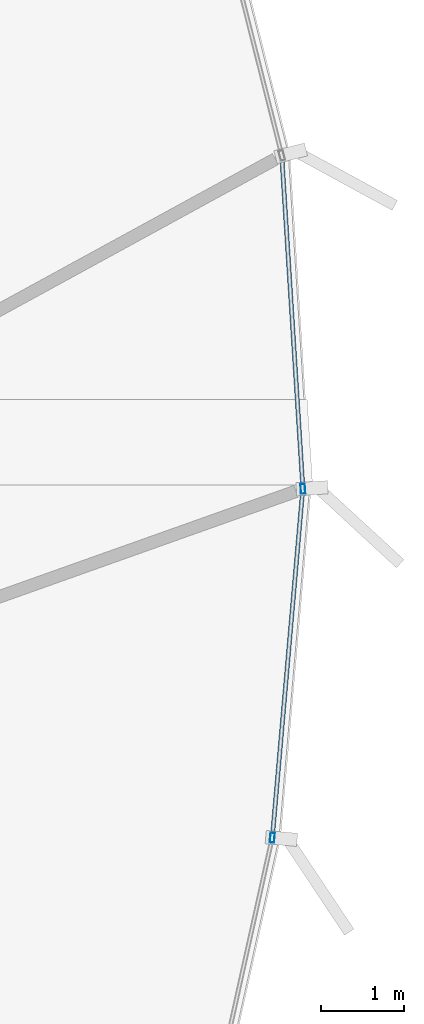
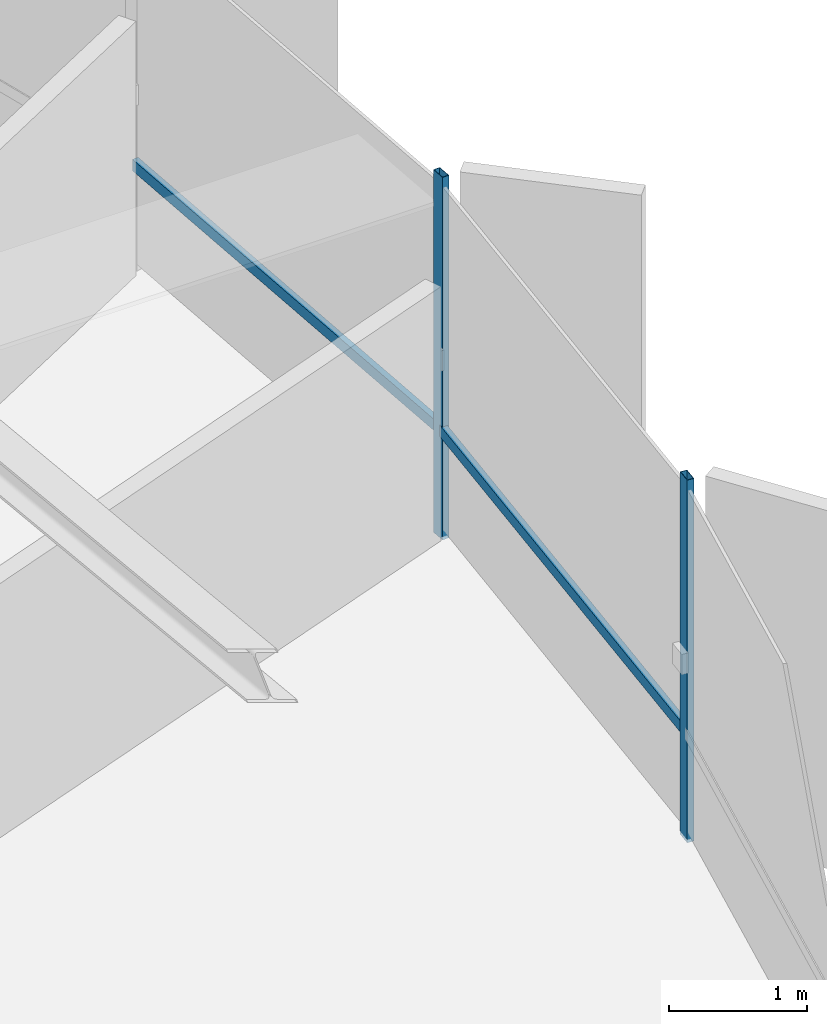
# One storey, part 18 of 36: 4 members, 1 element without a shape of its own.
"""IFC4 building model written with IfcOpenShell, lengths in metres."""

import ifcopenshell
import ifcopenshell.guid

model = None  # the IFC model being written
_history = None  # IfcOwnerHistory: only IFC2X3 demands one
_inside = {}  # id of a spatial element -> (the spatial element, [elements in it])
_under = {}  # id of a project, library or spatial element -> (it, [spatial elements below it])
_declared = {}  # id of a project -> (the project, [libraries it declares])
_typed = {}  # id of a type object -> (the type object, [elements of that type])
_made_of = {}  # id of a material, layer set ... -> (it, [elements and type objects made of it])


def new_model(schema):
    """Start an empty IFC model of exactly this schema.

    Asked for "IFC4X3", IfcOpenShell would pick the latest addendum, in which some entities
    have other attributes; the version numbers below select the first issue.
    IFC2X3 requires an IfcOwnerHistory on every rooted entity: one is made here for all.
    """
    global model, _history
    if schema == "IFC4X3":
        model = ifcopenshell.file(schema_version=(4, 3, 0, 0))
    else:
        model = ifcopenshell.file(schema=schema)
    _inside.clear()
    _under.clear()
    _declared.clear()
    _typed.clear()
    _made_of.clear()
    _history = None
    if model.schema == "IFC2X3":
        org = make("IfcOrganization", Name="unknown")
        user = make(
            "IfcPersonAndOrganization",
            ThePerson=make("IfcPerson", FamilyName="unknown"),
            TheOrganization=org,
        )
        app = make(
            "IfcApplication",
            ApplicationDeveloper=org,
            Version="unknown",
            ApplicationFullName="unknown",
            ApplicationIdentifier="unknown",
        )
        _history = make(
            "IfcOwnerHistory",
            OwningUser=user,
            OwningApplication=app,
            ChangeAction="ADDED",
            CreationDate=0,
        )
    return model


def make(cls, **values):
    """One entity of the class cls with the attributes given. An attribute that is None is left unset."""
    return model.create_entity(
        cls, **{name: value for name, value in values.items() if value is not None}
    )


def rooted(cls, **values):
    """An entity with a GlobalId (a new one), such as an element, a storey or a relation."""
    return make(cls, GlobalId=ifcopenshell.guid.new(), OwnerHistory=_history, **values)


def si_unit(unit_type, name, prefix=None):
    """IfcSIUnit, for example si_unit("LENGTHUNIT", "METRE", prefix="MILLI")."""
    return make("IfcSIUnit", UnitType=unit_type, Prefix=prefix, Name=name)


def assignment(units):
    """IfcUnitAssignment: the units of a project."""
    return None if units is None else make("IfcUnitAssignment", Units=units)


def point(xyz):
    """IfcCartesianPoint."""
    return None if xyz is None else make("IfcCartesianPoint", Coordinates=xyz)


def direction(xyz):
    """IfcDirection."""
    return None if xyz is None else make("IfcDirection", DirectionRatios=xyz)


def frame(location, z_axis=None, x_axis=None):
    """IfcAxis2Placement3D, a coordinate frame: its origin and axes. An axis left out is left unset."""
    return make(
        "IfcAxis2Placement3D",
        Location=point(location),
        Axis=direction(z_axis),
        RefDirection=direction(x_axis),
    )


def frame_2d(location, x_axis=None):
    """IfcAxis2Placement2D, a coordinate frame in the plane: its origin and x axis."""
    return make(
        "IfcAxis2Placement2D", Location=point(location), RefDirection=direction(x_axis)
    )


def origin():
    """The frame at (0, 0, 0) with its axes left unset."""
    return frame((0.0, 0.0, 0.0))


def origin_2d():
    """The frame at (0, 0) in the plane with its x axis left unset."""
    return frame_2d((0.0, 0.0))


def place(relative_to, where):
    """IfcLocalPlacement: puts the frame where relative to a parent placement (None: the world)."""
    return make(
        "IfcLocalPlacement", PlacementRelTo=relative_to, RelativePlacement=where
    )


def context(
    kind, dimensions, precision=None, world=None, true_north=None, identifier=None
):
    """IfcGeometricRepresentationContext, for example the 3D "Model" context."""
    return make(
        "IfcGeometricRepresentationContext",
        ContextIdentifier=identifier,
        ContextType=kind,
        CoordinateSpaceDimension=dimensions,
        Precision=precision,
        WorldCoordinateSystem=world,
        TrueNorth=true_north,
    )


def subcontext(parent, identifier, kind, view, scale=None):
    """IfcGeometricRepresentationSubContext, for example "Body" below "Model"."""
    return make(
        "IfcGeometricRepresentationSubContext",
        ContextIdentifier=identifier,
        ContextType=kind,
        ParentContext=parent,
        TargetScale=scale,
        TargetView=view,
    )


def project(units=None, contexts=None):
    """IfcProject with its units and contexts."""
    return rooted(
        "IfcProject",
        Name="project",
        RepresentationContexts=contexts,
        UnitsInContext=assignment(units),
    )


def spatial(cls, under=None, at=None, **own):
    """A site, building, storey or space (cls), placed at a placement, below another one or the project."""
    s = rooted(cls, ObjectPlacement=at, **own)
    if under is not None:
        _under.setdefault(under.id(), (under, []))[1].append(s)
    return s


def profile(cls, at=None, kind="AREA", **sizes):
    """A parametric profile (cls). Its sizes go by their IFC names, for example OverallWidth=200.0."""
    return make(cls, ProfileType=kind, Position=at, **sizes)


def hollow_rectangle(**sizes):
    """IfcRectangleHollowProfileDef."""
    return profile("IfcRectangleHollowProfileDef", **sizes)


def extrude(swept, where, along, depth):
    """IfcExtrudedAreaSolid: the profile swept, set in the frame where, extruded along a direction by depth."""
    return make(
        "IfcExtrudedAreaSolid",
        SweptArea=swept,
        Position=where,
        ExtrudedDirection=direction(along),
        Depth=depth,
    )


def shape(context_of_items, identifier, shape_type, items):
    """IfcShapeRepresentation: the items that make up one representation, for example the "Body"."""
    return make(
        "IfcShapeRepresentation",
        ContextOfItems=context_of_items,
        RepresentationIdentifier=identifier,
        RepresentationType=shape_type,
        Items=items,
    )


def source(mapping_origin, context_of_items, identifier, shape_type, items):
    """IfcRepresentationMap: a shape defined once, which mapped items show again and again."""
    return make(
        "IfcRepresentationMap",
        MappingOrigin=mapping_origin,
        MappedRepresentation=shape(context_of_items, identifier, shape_type, items),
    )


def transform(
    local_origin,
    x_axis=None,
    y_axis=None,
    z_axis=None,
    scale=None,
    scale2=None,
    scale3=None,
    uniform=True,
):
    """IfcCartesianTransformationOperator3D, or its non-uniform kind. x_axis, y_axis, z_axis: its Axis1, 2, 3."""
    if uniform:
        return make(
            "IfcCartesianTransformationOperator3D",
            Axis1=direction(x_axis),
            Axis2=direction(y_axis),
            LocalOrigin=point(local_origin),
            Scale=scale,
            Axis3=direction(z_axis),
        )
    return make(
        "IfcCartesianTransformationOperator3DnonUniform",
        Axis1=direction(x_axis),
        Axis2=direction(y_axis),
        LocalOrigin=point(local_origin),
        Scale=scale,
        Axis3=direction(z_axis),
        Scale2=scale2,
        Scale3=scale3,
    )


def mapped(mapping_source, mapping_target):
    """IfcMappedItem: shows the shape of a source again, moved by a transform."""
    return make(
        "IfcMappedItem", MappingSource=mapping_source, MappingTarget=mapping_target
    )


def material(Name=None, Category=None):
    """IfcMaterial."""
    return make("IfcMaterial", Name=Name, Category=Category)


def layer(
    of_material, thickness, ventilated=None, Name=None, Category=None, Priority=None
):
    """IfcMaterialLayer: one layer of a wall or slab, of a material (None: an air gap)."""
    return make(
        "IfcMaterialLayer",
        Material=of_material,
        LayerThickness=thickness,
        IsVentilated=ventilated,
        Name=Name,
        Category=Category,
        Priority=Priority,
    )


def layer_set(layers, Name=None):
    """IfcMaterialLayerSet."""
    return make("IfcMaterialLayerSet", MaterialLayers=layers, LayerSetName=Name)


def material_profile(
    of_material, cross_section, Name=None, Category=None, Priority=None
):
    """IfcMaterialProfile: a cross section and its material."""
    return make(
        "IfcMaterialProfile",
        Name=Name,
        Material=of_material,
        Profile=cross_section,
        Priority=Priority,
        Category=Category,
    )


def profile_set(profiles, Name=None, composite=None):
    """IfcMaterialProfileSet."""
    return make(
        "IfcMaterialProfileSet",
        Name=Name,
        MaterialProfiles=profiles,
        CompositeProfile=composite,
    )


def made_of(thing, what):
    """Note that an element or type object is made of a material, layer set ...; save() writes the relation."""
    if what is not None:
        _made_of.setdefault(what.id(), (what, []))[1].append(thing)
    return thing


def type_object(cls, material=None, **own):
    """A type object (cls), such as IfcWallType, which elements share."""
    return made_of(rooted(cls, **own), material)


def element(
    cls,
    number,
    at=None,
    inside=None,
    cuts=None,
    type_object=None,
    material=None,
    context=None,
    identifier="Body",
    shape_type=None,
    held_by="IfcProductDefinitionShape",
    body=None,
    shapes=None,
    **own,
):
    """One element of the class cls, such as IfcWall. Its Tag is "e" and its number.

    at: its placement. inside: the storey or other place that contains it. cuts: it is an
    opening in that element (IfcRelVoidsElement). A single representation is given by context,
    identifier, shape_type and body (its items); several are given by shapes. held_by: the class
    of the entity that holds the representations. save() writes the other relations.
    """
    e = rooted(cls, Tag="e%d" % number, ObjectPlacement=at, **own)
    if body is not None:
        shapes = [shape(context, identifier, shape_type, body)]
    if shapes is not None:
        e.Representation = make(held_by, Representations=shapes)
    if inside is not None:
        _inside.setdefault(inside.id(), (inside, []))[1].append(e)
    if cuts is not None:
        rooted(
            "IfcRelVoidsElement", RelatingBuildingElement=cuts, RelatedOpeningElement=e
        )
    if type_object is not None:
        _typed.setdefault(type_object.id(), (type_object, []))[1].append(e)
    return made_of(e, material)


def aggregate(whole, parts):
    """IfcRelAggregates: a whole, such as a stair, and the parts it consists of."""
    return rooted("IfcRelAggregates", RelatingObject=whole, RelatedObjects=parts)


def save(model, path):
    """Write the relations noted so far, then the file.

    IfcRelAggregates (storeys below a building ...), IfcRelContainedInSpatialStructure (elements
    in a storey), IfcRelDefinesByType, IfcRelAssociatesMaterial and IfcRelDeclares: one each for
    every whole, place, type object, material and project.
    """
    for whole, parts in _under.values():
        aggregate(whole, parts)
    for where, things in _inside.values():
        rooted(
            "IfcRelContainedInSpatialStructure",
            RelatedElements=things,
            RelatingStructure=where,
        )
    for kind, things in _typed.values():
        rooted("IfcRelDefinesByType", RelatedObjects=things, RelatingType=kind)
    for what, things in _made_of.values():
        rooted("IfcRelAssociatesMaterial", RelatedObjects=things, RelatingMaterial=what)
    for by, libraries in _declared.values():
        rooted("IfcRelDeclares", RelatingContext=by, RelatedDefinitions=libraries)
    model.write(path)


model = new_model("IFC4")

# Units and contexts
model_context = context("Model", 3, precision=1e-05, world=origin(), true_north=direction((0.0, 1.0)))
body_context = subcontext(model_context, "Body", "Model", "MODEL_VIEW")
ifc_project = project(units=[si_unit("LENGTHUNIT", "METRE"), si_unit("AREAUNIT", "SQUARE_METRE"), si_unit("VOLUMEUNIT", "CUBIC_METRE"), si_unit("PLANEANGLEUNIT", "RADIAN"), si_unit("MASSUNIT", "GRAM", prefix="KILO"), si_unit("THERMODYNAMICTEMPERATUREUNIT", "KELVIN")], contexts=[model_context])

# Site, building, storey
site_placement = place(None, origin())
site = spatial("IfcSite", under=ifc_project, at=site_placement, CompositionType="ELEMENT")
building_placement = place(site_placement, origin())
building = spatial("IfcBuilding", under=site, at=building_placement, Name="Kethvar Cultural Tower", CompositionType="ELEMENT")
storey_placement = place(building_placement, frame((0.0, 0.0, 242.199951171875)))
storey = spatial("IfcBuildingStorey", under=building, at=storey_placement, Name="L63", CompositionType="ELEMENT", Elevation=242.199951171875)

# Curtain wall, members
ifc_material = material(Name="Aluminium 6063-T6", Category="aluminium")
ifc_layer = layer(ifc_material, 0.179931640625, Name="Aluminium 6063-T6", Category="aluminium")
ifc_layer_set = layer_set([ifc_layer], Name="Aluminium 6063-T6 (180 mm)")
curtain_wall_type = type_object("IfcCurtainWallType", Name="CW-SYS-05-Z56", PredefinedType="NOTDEFINED", material=ifc_layer_set)
curtain_wall_placement = place(storey_placement, origin())
curtain_wall = element("IfcCurtainWall", 1, at=curtain_wall_placement, inside=storey, type_object=curtain_wall_type, Name="L63 Curtain Wall Run 06", PredefinedType="NOTDEFINED")
ifc_material_profile_1 = material_profile(ifc_material, hollow_rectangle(XDim=0.054931640625, YDim=0.1201171875, WallThickness=0.00390625, at=origin_2d()), Name="Aluminium 6063-T6 — RHS120x55x4")
ifc_profile_set_1 = profile_set([ifc_material_profile_1], Name="Aluminium 6063-T6 — RHS120x55x4")
member_type_1 = type_object("IfcMemberType", Name="CW-SYS-05-Z56-MUL", PredefinedType="MULLION", material=ifc_profile_set_1)
shared_shape_1 = source(origin(), body_context, "Body", "SweptSolid", [
    extrude(hollow_rectangle(XDim=0.054931640625, YDim=0.1201171875, WallThickness=0.00390625, at=origin_2d()), origin(), (0.0, 0.0, 1.0), 3.2099609375),
])
member_1_placement = place(storey_placement, frame((68.203857421875, 31.276123046875, 0.0), z_axis=(0.0, 0.0, 1.0), x_axis=(-0.99620533874, 0.087034033955, 0.0)))
member_1 = element("IfcMember", 2, at=member_1_placement, type_object=member_type_1, Name="CW-L63-R06 Mullion 2", PredefinedType="MULLION", context=body_context, shape_type="MappedRepresentation", body=[
    mapped(shared_shape_1, transform((0.0, 0.0, 0.0), scale=1.0)),
])
member_2_placement = place(storey_placement, frame((68.572509765625, 35.482177734375, 0.0), z_axis=(0.0, 0.0, 1.0), x_axis=(-0.99799260941, -0.063330494738, 0.0)))
member_2 = element("IfcMember", 3, at=member_2_placement, type_object=member_type_1, Name="CW-L63-R06 Mullion 3", PredefinedType="MULLION", context=body_context, shape_type="MappedRepresentation", body=[
    mapped(shared_shape_1, transform((0.0, 0.0, 0.0), scale=1.0)),
])
ifc_material_profile_2 = material_profile(ifc_material, hollow_rectangle(XDim=0.050048828125, YDim=0.10009765625, WallThickness=0.00390625, at=origin_2d()), Name="Aluminium 6063-T6 — RHS100x50x4")
ifc_profile_set_2 = profile_set([ifc_material_profile_2], Name="Aluminium 6063-T6 — RHS100x50x4")
member_type_2 = type_object("IfcMemberType", Name="CW-SYS-05-Z56-TRN", PredefinedType="USERDEFINED", material=ifc_profile_set_2)
shared_shape_2 = source(origin(), body_context, "Body", "SweptSolid", [
    extrude(hollow_rectangle(XDim=0.050048828125, YDim=0.10009765625, WallThickness=0.00390625, at=origin_2d()), origin(), (0.0, 0.0, 1.0), 3.9658203125),
])
member_3_placement = place(storey_placement, frame((68.56982421875, 35.521728515625, 0.949951171875), z_axis=(-0.063347927739, 0.997991502995, 0.0), x_axis=(-0.997991502995, -0.063347927739, 0.0)))
member_3 = element("IfcMember", 4, at=member_3_placement, type_object=member_type_2, Name="CW-L63-R06 Transom 3", ObjectType="TRANSOM", PredefinedType="USERDEFINED", context=body_context, shape_type="MappedRepresentation", body=[
    mapped(shared_shape_2, transform((0.0, 0.0, 0.0), scale=1.0)),
])
shared_shape_3 = source(origin(), body_context, "Body", "SweptSolid", [
    extrude(hollow_rectangle(XDim=0.050048828125, YDim=0.10009765625, WallThickness=0.00390625, at=origin_2d()), origin(), (0.0, 0.0, 1.0), 4.157958984375),
])
member_4_placement = place(storey_placement, frame((68.207275390625, 31.315673828125, 0.949951171875), z_axis=(0.087019813338, 0.99620658103, 0.0), x_axis=(-0.99620658103, 0.087019813338, 0.0)))
member_4 = element("IfcMember", 5, at=member_4_placement, type_object=member_type_2, Name="CW-L63-R06 Transom 2", ObjectType="TRANSOM", PredefinedType="USERDEFINED", context=body_context, shape_type="MappedRepresentation", body=[
    mapped(shared_shape_3, transform((0.0, 0.0, 0.0), scale=1.0)),
])
aggregate(curtain_wall, [member_1, member_2, member_4, member_3])

save(model, "model.ifc")
